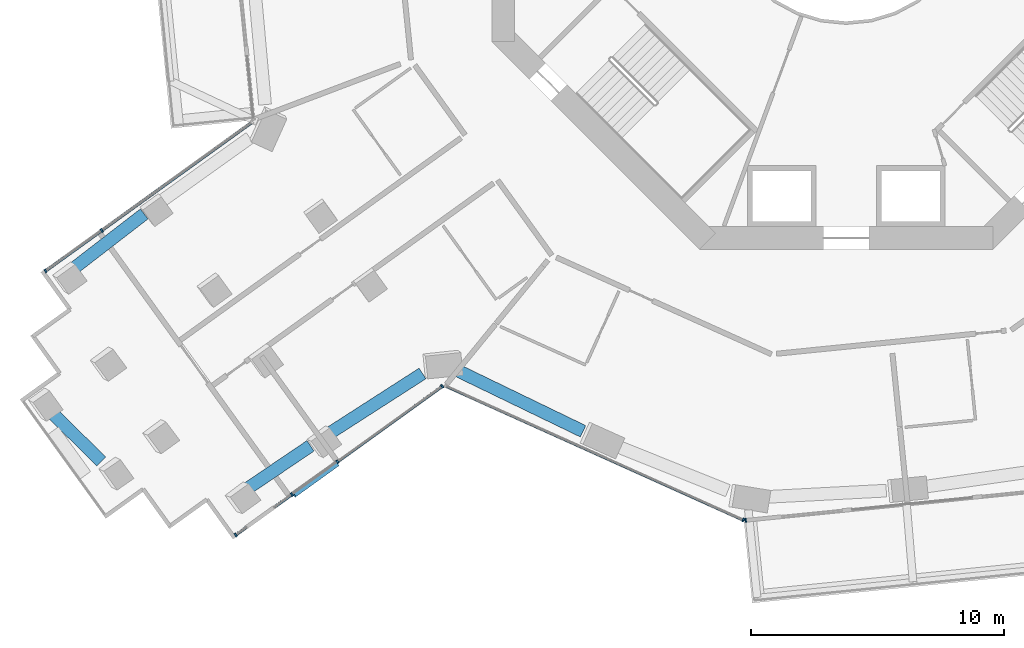
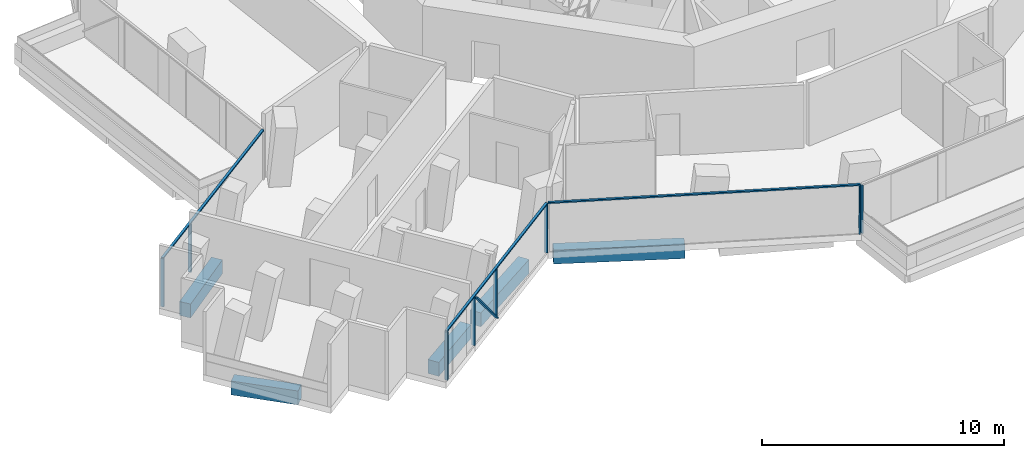
# One storey, part 2 of 26: 12 members, 5 beams, 4 elements without a shape of their own.
"""IFC4 building model written with IfcOpenShell, lengths in metres."""

import ifcopenshell
import ifcopenshell.guid

model = None  # the IFC model being written
_history = None  # IfcOwnerHistory: only IFC2X3 demands one
_inside = {}  # id of a spatial element -> (the spatial element, [elements in it])
_under = {}  # id of a project, library or spatial element -> (it, [spatial elements below it])
_declared = {}  # id of a project -> (the project, [libraries it declares])
_typed = {}  # id of a type object -> (the type object, [elements of that type])
_made_of = {}  # id of a material, layer set ... -> (it, [elements and type objects made of it])


def new_model(schema):
    """Start an empty IFC model of exactly this schema.

    Asked for "IFC4X3", IfcOpenShell would pick the latest addendum, in which some entities
    have other attributes; the version numbers below select the first issue.
    IFC2X3 requires an IfcOwnerHistory on every rooted entity: one is made here for all.
    """
    global model, _history
    if schema == "IFC4X3":
        model = ifcopenshell.file(schema_version=(4, 3, 0, 0))
    else:
        model = ifcopenshell.file(schema=schema)
    _inside.clear()
    _under.clear()
    _declared.clear()
    _typed.clear()
    _made_of.clear()
    _history = None
    if model.schema == "IFC2X3":
        org = make("IfcOrganization", Name="unknown")
        user = make(
            "IfcPersonAndOrganization",
            ThePerson=make("IfcPerson", FamilyName="unknown"),
            TheOrganization=org,
        )
        app = make(
            "IfcApplication",
            ApplicationDeveloper=org,
            Version="unknown",
            ApplicationFullName="unknown",
            ApplicationIdentifier="unknown",
        )
        _history = make(
            "IfcOwnerHistory",
            OwningUser=user,
            OwningApplication=app,
            ChangeAction="ADDED",
            CreationDate=0,
        )
    return model


def make(cls, **values):
    """One entity of the class cls with the attributes given. An attribute that is None is left unset."""
    return model.create_entity(
        cls, **{name: value for name, value in values.items() if value is not None}
    )


def rooted(cls, **values):
    """An entity with a GlobalId (a new one), such as an element, a storey or a relation."""
    return make(cls, GlobalId=ifcopenshell.guid.new(), OwnerHistory=_history, **values)


def si_unit(unit_type, name, prefix=None):
    """IfcSIUnit, for example si_unit("LENGTHUNIT", "METRE", prefix="MILLI")."""
    return make("IfcSIUnit", UnitType=unit_type, Prefix=prefix, Name=name)


def assignment(units):
    """IfcUnitAssignment: the units of a project."""
    return None if units is None else make("IfcUnitAssignment", Units=units)


def point(xyz):
    """IfcCartesianPoint."""
    return None if xyz is None else make("IfcCartesianPoint", Coordinates=xyz)


def direction(xyz):
    """IfcDirection."""
    return None if xyz is None else make("IfcDirection", DirectionRatios=xyz)


def frame(location, z_axis=None, x_axis=None):
    """IfcAxis2Placement3D, a coordinate frame: its origin and axes. An axis left out is left unset."""
    return make(
        "IfcAxis2Placement3D",
        Location=point(location),
        Axis=direction(z_axis),
        RefDirection=direction(x_axis),
    )


def frame_2d(location, x_axis=None):
    """IfcAxis2Placement2D, a coordinate frame in the plane: its origin and x axis."""
    return make(
        "IfcAxis2Placement2D", Location=point(location), RefDirection=direction(x_axis)
    )


def origin():
    """The frame at (0, 0, 0) with its axes left unset."""
    return frame((0.0, 0.0, 0.0))


def origin_2d():
    """The frame at (0, 0) in the plane with its x axis left unset."""
    return frame_2d((0.0, 0.0))


def place(relative_to, where):
    """IfcLocalPlacement: puts the frame where relative to a parent placement (None: the world)."""
    return make(
        "IfcLocalPlacement", PlacementRelTo=relative_to, RelativePlacement=where
    )


def context(
    kind, dimensions, precision=None, world=None, true_north=None, identifier=None
):
    """IfcGeometricRepresentationContext, for example the 3D "Model" context."""
    return make(
        "IfcGeometricRepresentationContext",
        ContextIdentifier=identifier,
        ContextType=kind,
        CoordinateSpaceDimension=dimensions,
        Precision=precision,
        WorldCoordinateSystem=world,
        TrueNorth=true_north,
    )


def subcontext(parent, identifier, kind, view, scale=None):
    """IfcGeometricRepresentationSubContext, for example "Body" below "Model"."""
    return make(
        "IfcGeometricRepresentationSubContext",
        ContextIdentifier=identifier,
        ContextType=kind,
        ParentContext=parent,
        TargetScale=scale,
        TargetView=view,
    )


def project(units=None, contexts=None):
    """IfcProject with its units and contexts."""
    return rooted(
        "IfcProject",
        Name="project",
        RepresentationContexts=contexts,
        UnitsInContext=assignment(units),
    )


def spatial(cls, under=None, at=None, **own):
    """A site, building, storey or space (cls), placed at a placement, below another one or the project."""
    s = rooted(cls, ObjectPlacement=at, **own)
    if under is not None:
        _under.setdefault(under.id(), (under, []))[1].append(s)
    return s


def profile(cls, at=None, kind="AREA", **sizes):
    """A parametric profile (cls). Its sizes go by their IFC names, for example OverallWidth=200.0."""
    return make(cls, ProfileType=kind, Position=at, **sizes)


def rectangle(**sizes):
    """IfcRectangleProfileDef."""
    return profile("IfcRectangleProfileDef", **sizes)


def extrude(swept, where, along, depth):
    """IfcExtrudedAreaSolid: the profile swept, set in the frame where, extruded along a direction by depth."""
    return make(
        "IfcExtrudedAreaSolid",
        SweptArea=swept,
        Position=where,
        ExtrudedDirection=direction(along),
        Depth=depth,
    )


def shape(context_of_items, identifier, shape_type, items):
    """IfcShapeRepresentation: the items that make up one representation, for example the "Body"."""
    return make(
        "IfcShapeRepresentation",
        ContextOfItems=context_of_items,
        RepresentationIdentifier=identifier,
        RepresentationType=shape_type,
        Items=items,
    )


def material(Name=None, Category=None):
    """IfcMaterial."""
    return make("IfcMaterial", Name=Name, Category=Category)


def layer(
    of_material, thickness, ventilated=None, Name=None, Category=None, Priority=None
):
    """IfcMaterialLayer: one layer of a wall or slab, of a material (None: an air gap)."""
    return make(
        "IfcMaterialLayer",
        Material=of_material,
        LayerThickness=thickness,
        IsVentilated=ventilated,
        Name=Name,
        Category=Category,
        Priority=Priority,
    )


def layer_set(layers, Name=None):
    """IfcMaterialLayerSet."""
    return make("IfcMaterialLayerSet", MaterialLayers=layers, LayerSetName=Name)


def material_profile(
    of_material, cross_section, Name=None, Category=None, Priority=None
):
    """IfcMaterialProfile: a cross section and its material."""
    return make(
        "IfcMaterialProfile",
        Name=Name,
        Material=of_material,
        Profile=cross_section,
        Priority=Priority,
        Category=Category,
    )


def profile_set(profiles, Name=None, composite=None):
    """IfcMaterialProfileSet."""
    return make(
        "IfcMaterialProfileSet",
        Name=Name,
        MaterialProfiles=profiles,
        CompositeProfile=composite,
    )


def made_of(thing, what):
    """Note that an element or type object is made of a material, layer set ...; save() writes the relation."""
    if what is not None:
        _made_of.setdefault(what.id(), (what, []))[1].append(thing)
    return thing


def type_object(cls, material=None, **own):
    """A type object (cls), such as IfcWallType, which elements share."""
    return made_of(rooted(cls, **own), material)


def element(
    cls,
    number,
    at=None,
    inside=None,
    cuts=None,
    type_object=None,
    material=None,
    context=None,
    identifier="Body",
    shape_type=None,
    held_by="IfcProductDefinitionShape",
    body=None,
    shapes=None,
    **own,
):
    """One element of the class cls, such as IfcWall. Its Tag is "e" and its number.

    at: its placement. inside: the storey or other place that contains it. cuts: it is an
    opening in that element (IfcRelVoidsElement). A single representation is given by context,
    identifier, shape_type and body (its items); several are given by shapes. held_by: the class
    of the entity that holds the representations. save() writes the other relations.
    """
    e = rooted(cls, Tag="e%d" % number, ObjectPlacement=at, **own)
    if body is not None:
        shapes = [shape(context, identifier, shape_type, body)]
    if shapes is not None:
        e.Representation = make(held_by, Representations=shapes)
    if inside is not None:
        _inside.setdefault(inside.id(), (inside, []))[1].append(e)
    if cuts is not None:
        rooted(
            "IfcRelVoidsElement", RelatingBuildingElement=cuts, RelatedOpeningElement=e
        )
    if type_object is not None:
        _typed.setdefault(type_object.id(), (type_object, []))[1].append(e)
    return made_of(e, material)


def aggregate(whole, parts):
    """IfcRelAggregates: a whole, such as a stair, and the parts it consists of."""
    return rooted("IfcRelAggregates", RelatingObject=whole, RelatedObjects=parts)


def save(model, path):
    """Write the relations noted so far, then the file.

    IfcRelAggregates (storeys below a building ...), IfcRelContainedInSpatialStructure (elements
    in a storey), IfcRelDefinesByType, IfcRelAssociatesMaterial and IfcRelDeclares: one each for
    every whole, place, type object, material and project.
    """
    for whole, parts in _under.values():
        aggregate(whole, parts)
    for where, things in _inside.values():
        rooted(
            "IfcRelContainedInSpatialStructure",
            RelatedElements=things,
            RelatingStructure=where,
        )
    for kind, things in _typed.values():
        rooted("IfcRelDefinesByType", RelatedObjects=things, RelatingType=kind)
    for what, things in _made_of.values():
        rooted("IfcRelAssociatesMaterial", RelatedObjects=things, RelatingMaterial=what)
    for by, libraries in _declared.values():
        rooted("IfcRelDeclares", RelatingContext=by, RelatedDefinitions=libraries)
    model.write(path)


model = new_model("IFC4")

# Units and contexts
model_context = context("Model", 3, precision=1e-05, world=origin(), true_north=direction((0.0, 1.0)))
body_context = subcontext(model_context, "Body", "Model", "MODEL_VIEW")
ifc_project = project(units=[si_unit("LENGTHUNIT", "METRE"), si_unit("AREAUNIT", "SQUARE_METRE"), si_unit("VOLUMEUNIT", "CUBIC_METRE"), si_unit("PLANEANGLEUNIT", "RADIAN"), si_unit("MASSUNIT", "GRAM", prefix="KILO")], contexts=[model_context])

# Site, building, storey
site_placement = place(None, origin())
site = spatial("IfcSite", under=ifc_project, at=site_placement, CompositionType="ELEMENT")
building_placement = place(site_placement, origin())
building = spatial("IfcBuilding", under=site, at=building_placement, Name="Verdalira Terraces Hotel", CompositionType="ELEMENT")
storey_placement = place(building_placement, frame((0.0, 0.0, 56.5)))
storey = spatial("IfcBuildingStorey", under=building, at=storey_placement, Name="L12", CompositionType="ELEMENT", Elevation=56.5)

# Curtain wall, member
ifc_material_1 = material(Name="Clear glass", Category="glass")
ifc_layer_1 = layer(ifc_material_1, 0.14990234375)
ifc_layer_set_1 = layer_set([ifc_layer_1], Name="CW1 curtain wall")
curtain_wall_type_1 = type_object("IfcCurtainWallType", Name="CW1 curtain wall", PredefinedType="NOTDEFINED", material=ifc_layer_set_1)
curtain_wall_1_placement = place(storey_placement, origin())
curtain_wall_1 = element("IfcCurtainWall", 1, at=curtain_wall_1_placement, inside=storey, type_object=curtain_wall_type_1, Name="CW1 curtain wall L12 edge 25", PredefinedType="NOTDEFINED")
ifc_material_2 = material(Name="Terracotta frame", Category="masonry")
ifc_material_profile_1 = material_profile(ifc_material_2, rectangle(XDim=0.060059, YDim=0.149902, at=origin_2d()), Name="MU 60x150")
ifc_profile_set_1 = profile_set([ifc_material_profile_1], Name="Terracotta frame")
member_type_1 = type_object("IfcMemberType", Name="CW1 mullion 60x150", PredefinedType="MULLION", material=ifc_profile_set_1)
member_1_placement = place(storey_placement, frame((-4.065674, -24.690918, 0.0), z_axis=(0.0, 0.0, 1.0), x_axis=(0.911833714, -0.410559714, 0.0)))
member_1 = element("IfcMember", 2, at=member_1_placement, type_object=member_type_1, Name="CW1 mullion", PredefinedType="MULLION", context=body_context, shape_type="SweptSolid", body=[
    extrude(rectangle(XDim=0.060059, YDim=0.149902, at=origin_2d()), origin(), (0.0, 0.0, 1.0), 2.425049),
])

curtain_wall_2_placement = place(storey_placement, origin())
curtain_wall_2 = element("IfcCurtainWall", 3, at=curtain_wall_2_placement, inside=storey, type_object=curtain_wall_type_1, Name="CW1 curtain wall L12 edge 26", PredefinedType="NOTDEFINED")
member_2_placement = place(storey_placement, frame((-3.970215, -24.706543, 0.0), z_axis=(0.0, 0.0, 1.0), x_axis=(0.994951017, 0.100361715, 0.0)))
member_2 = element("IfcMember", 4, at=member_2_placement, type_object=member_type_1, Name="CW1 mullion", PredefinedType="MULLION", context=body_context, shape_type="SweptSolid", body=[
    extrude(rectangle(XDim=0.060059, YDim=0.149902, at=origin_2d()), origin(), (0.0, 0.0, 1.0), 2.425049),
])
aggregate(curtain_wall_2, [member_2])

# Member
ifc_material_3 = material(Name="Terracotta frame", Category="masonry")
ifc_material_profile_2 = material_profile(ifc_material_3, rectangle(XDim=0.110107, YDim=0.064941, at=origin_2d()), Name="TR 65x110")
ifc_profile_set_2 = profile_set([ifc_material_profile_2], Name="Terracotta frame")
member_type_2 = type_object("IfcMemberType", Name="CW1 transom 65x110", PredefinedType="USERDEFINED", material=ifc_profile_set_2)
member_3_placement = place(storey_placement, frame((-15.855713, -19.382568, 2.45752), z_axis=(0.91183548, -0.41055579, 0.0), x_axis=(0.41055579, 0.91183548, 0.0)))
member_3 = element("IfcMember", 5, at=member_3_placement, type_object=member_type_2, Name="CW1 transom", ObjectType="TRANSOM", PredefinedType="USERDEFINED", context=body_context, shape_type="SweptSolid", body=[
    extrude(rectangle(XDim=0.110107, YDim=0.064941, at=origin_2d()), origin(), (0.0, 0.0, 1.0), 12.959961),
])

aggregate(curtain_wall_1, [member_1, member_3])

# Curtain wall, members
ifc_material_4 = material(Name="Clear glass", Category="glass")
ifc_layer_2 = layer(ifc_material_4, 0.14990234375)
ifc_layer_set_2 = layer_set([ifc_layer_2], Name="CW2 curtain wall")
curtain_wall_type_2 = type_object("IfcCurtainWallType", Name="CW2 curtain wall", PredefinedType="NOTDEFINED", material=ifc_layer_set_2)
curtain_wall_3_placement = place(storey_placement, origin())
curtain_wall_3 = element("IfcCurtainWall", 6, at=curtain_wall_3_placement, inside=storey, type_object=curtain_wall_type_2, Name="CW2 curtain wall L12 edge 14", PredefinedType="NOTDEFINED")
ifc_material_5 = material(Name="Terracotta frame", Category="masonry")
ifc_material_profile_3 = material_profile(ifc_material_5, rectangle(XDim=0.070068, YDim=0.149902, at=origin_2d()), Name="MU 70x150")
ifc_profile_set_3 = profile_set([ifc_material_profile_3], Name="Terracotta frame")
member_type_3 = type_object("IfcMemberType", Name="CW2 mullion 70x150", PredefinedType="MULLION", material=ifc_profile_set_3)
member_4_placement = place(storey_placement, frame((-29.404785, -13.258301, 0.0), z_axis=(0.0, 0.0, 1.0), x_axis=(-0.811471999, -0.584391303, 0.0)))
member_4 = element("IfcMember", 7, at=member_4_placement, type_object=member_type_3, Name="CW2 mullion", PredefinedType="MULLION", context=body_context, shape_type="SweptSolid", body=[
    extrude(rectangle(XDim=0.070068, YDim=0.149902, at=origin_2d()), origin(), (0.0, 0.0, 1.0), 2.425049),
])
member_5_placement = place(storey_placement, frame((-31.624023, -14.856689, 0.0), z_axis=(0.0, 0.0, 1.0), x_axis=(-0.811471999, -0.584391303, 0.0)))
member_5 = element("IfcMember", 8, at=member_5_placement, type_object=member_type_3, Name="CW2 mullion", PredefinedType="MULLION", context=body_context, shape_type="SweptSolid", body=[
    extrude(rectangle(XDim=0.070068, YDim=0.149902, at=origin_2d()), origin(), (0.0, 0.0, 1.0), 2.425049),
])

curtain_wall_4_placement = place(storey_placement, origin())
curtain_wall_4 = element("IfcCurtainWall", 9, at=curtain_wall_4_placement, inside=storey, type_object=curtain_wall_type_2, Name="CW2 curtain wall L12 edge 24", PredefinedType="NOTDEFINED")
member_6_placement = place(storey_placement, frame((-24.114502, -25.28418, 0.0), z_axis=(0.0, 0.0, 1.0), x_axis=(0.811471999, 0.584391303, 0.0)))
member_6 = element("IfcMember", 10, at=member_6_placement, type_object=member_type_3, Name="CW2 mullion", PredefinedType="MULLION", context=body_context, shape_type="SweptSolid", body=[
    extrude(rectangle(XDim=0.070068, YDim=0.149902, at=origin_2d()), origin(), (0.0, 0.0, 1.0), 2.425049),
])
member_7_placement = place(storey_placement, frame((-21.895264, -23.685791, 0.0), z_axis=(0.0, 0.0, 1.0), x_axis=(0.811471999, 0.584391303, 0.0)))
member_7 = element("IfcMember", 11, at=member_7_placement, type_object=member_type_3, Name="CW2 mullion", PredefinedType="MULLION", context=body_context, shape_type="SweptSolid", body=[
    extrude(rectangle(XDim=0.070068, YDim=0.149902, at=origin_2d()), origin(), (0.0, 0.0, 1.0), 2.425049),
])
member_8_placement = place(storey_placement, frame((-20.097412, -22.391113, 0.0), z_axis=(0.0, 0.0, 1.0), x_axis=(0.811471999, 0.584391303, 0.0)))
member_8 = element("IfcMember", 12, at=member_8_placement, type_object=member_type_3, Name="CW2 mullion", PredefinedType="MULLION", context=body_context, shape_type="SweptSolid", body=[
    extrude(rectangle(XDim=0.070068, YDim=0.149902, at=origin_2d()), origin(), (0.0, 0.0, 1.0), 2.425049),
])
member_9_placement = place(storey_placement, frame((-15.95874, -19.4104, 0.0), z_axis=(0.0, 0.0, 1.0), x_axis=(0.811471999, 0.584391303, 0.0)))
member_9 = element("IfcMember", 13, at=member_9_placement, type_object=member_type_3, Name="CW2 mullion", PredefinedType="MULLION", context=body_context, shape_type="SweptSolid", body=[
    extrude(rectangle(XDim=0.070068, YDim=0.149902, at=origin_2d()), origin(), (0.0, 0.0, 1.0), 2.425049),
])

# Member
ifc_material_6 = material(Name="Terracotta frame", Category="masonry")
ifc_material_profile_4 = material_profile(ifc_material_6, rectangle(XDim=0.11499, YDim=0.064941, at=origin_2d()), Name="TR 65x115")
ifc_profile_set_4 = profile_set([ifc_material_profile_4], Name="Terracotta frame")
member_type_4 = type_object("IfcMemberType", Name="CW2 transom 65x115", PredefinedType="USERDEFINED", material=ifc_profile_set_4)
member_10_placement = place(storey_placement, frame((-23.439697, -8.962646, 2.45752), z_axis=(-0.811466619, -0.584398773, 0.0), x_axis=(0.584398773, -0.811466619, 0.0)))
member_10 = element("IfcMember", 14, at=member_10_placement, type_object=member_type_4, Name="CW2 transom", ObjectType="TRANSOM", PredefinedType="USERDEFINED", context=body_context, shape_type="SweptSolid", body=[
    extrude(rectangle(XDim=0.11499, YDim=0.064941, at=origin_2d()), origin(), (0.0, 0.0, 1.0), 10.12085),
])

aggregate(curtain_wall_3, [member_4, member_5, member_10])

member_11_placement = place(storey_placement, frame((-24.143066, -25.304688, 2.45752), z_axis=(0.811474858, 0.584387334, 0.0), x_axis=(-0.584387334, 0.811474858, 0.0)))
member_11 = element("IfcMember", 15, at=member_11_placement, type_object=member_type_4, Name="CW2 transom", ObjectType="TRANSOM", PredefinedType="USERDEFINED", context=body_context, shape_type="SweptSolid", body=[
    extrude(rectangle(XDim=0.11499, YDim=0.064941, at=origin_2d()), origin(), (0.0, 0.0, 1.0), 10.12085),
])

ifc_material_7 = material(Name="Terracotta frame", Category="masonry")
ifc_material_profile_5 = material_profile(ifc_material_7, rectangle(XDim=0.149902, YDim=0.060059, at=origin_2d()), Name="GB 60x150")
ifc_profile_set_5 = profile_set([ifc_material_profile_5], Name="Terracotta frame")
member_type_5 = type_object("IfcMemberType", Name="Diagonal glazing bar 60x150", PredefinedType="USERDEFINED", material=ifc_profile_set_5)
member_12_placement = place(storey_placement, frame((-21.794434, -23.725342, 2.398193), z_axis=(0.537681735, 0.387241886, -0.748960662), x_axis=(-0.584415083, 0.811454873, 0.0)))
member_12 = element("IfcMember", 16, at=member_12_placement, type_object=member_type_5, Name="Diagonal glazing bar", ObjectType="GLAZING BAR", PredefinedType="USERDEFINED", context=body_context, shape_type="SweptSolid", body=[
    extrude(rectangle(XDim=0.149902, YDim=0.060059, at=origin_2d()), origin(), (0.0, 0.0, 1.0), 3.16626),
])

aggregate(curtain_wall_4, [member_6, member_7, member_8, member_9, member_11, member_12])

# Beams
ifc_material_8 = material(Name="Concrete C70", Category="concrete")
ifc_material_profile_6 = material_profile(ifc_material_8, rectangle(XDim=0.5, YDim=0.699951, at=origin_2d()), Name="RC 500X700")
ifc_profile_set_6 = profile_set([ifc_material_profile_6], Name="Concrete C70")
beam_type = type_object("IfcBeamType", Name="Spandrel beam RC 500X700 C70", PredefinedType="SPANDREL", material=ifc_profile_set_6)
beam_1_placement = place(storey_placement, frame((-27.730469, -12.604004, -0.659912), z_axis=(-0.791661485, -0.610959976, 0.0), x_axis=(0.610959976, -0.791661485, 0.0)))
element("IfcBeam", 17, at=beam_1_placement, inside=storey, type_object=beam_type, Name="Spandrel beam B15", PredefinedType="SPANDREL", context=body_context, shape_type="SweptSolid", body=[
    extrude(rectangle(XDim=0.5, YDim=0.699951, at=origin_2d()), origin(), (0.0, 0.0, 1.0), 3.464111),
])
beam_2_placement = place(storey_placement, frame((-31.4646, -20.366455, -0.659912), z_axis=(0.711185161, -0.703004742, 0.0), x_axis=(0.703004742, 0.711185161, 0.0)))
element("IfcBeam", 18, at=beam_2_placement, inside=storey, type_object=beam_type, Name="Spandrel beam B16", PredefinedType="SPANDREL", context=body_context, shape_type="SweptSolid", body=[
    extrude(rectangle(XDim=0.5, YDim=0.699951, at=origin_2d()), origin(), (0.0, 0.0, 1.0), 2.86499),
])
beam_3_placement = place(storey_placement, frame((-23.687012, -23.474854, -0.659912), z_axis=(0.827804841, 0.561016172, 0.0), x_axis=(-0.561016172, 0.827804841, 0.0)))
element("IfcBeam", 19, at=beam_3_placement, inside=storey, type_object=beam_type, Name="Spandrel beam B17", PredefinedType="SPANDREL", context=body_context, shape_type="SweptSolid", body=[
    extrude(rectangle(XDim=0.5, YDim=0.699951, at=origin_2d()), origin(), (0.0, 0.0, 1.0), 3.052002),
])
beam_4_placement = place(storey_placement, frame((-20.393799, -21.256592, -0.659912), z_axis=(0.841222268, 0.540689463, 0.0), x_axis=(-0.540689463, 0.841222268, 0.0)))
element("IfcBeam", 20, at=beam_4_placement, inside=storey, type_object=beam_type, Name="Spandrel beam B18", PredefinedType="SPANDREL", context=body_context, shape_type="SweptSolid", body=[
    extrude(rectangle(XDim=0.5, YDim=0.699951, at=origin_2d()), origin(), (0.0, 0.0, 1.0), 4.346924),
])
beam_5_placement = place(storey_placement, frame((-15.291016, -18.820068, -0.659912), z_axis=(0.900195014, -0.435487012, 0.0), x_axis=(0.435487012, 0.900195014, 0.0)))
element("IfcBeam", 21, at=beam_5_placement, inside=storey, type_object=beam_type, Name="Spandrel beam B19", PredefinedType="SPANDREL", context=body_context, shape_type="SweptSolid", body=[
    extrude(rectangle(XDim=0.5, YDim=0.699951, at=origin_2d()), origin(), (0.0, 0.0, 1.0), 5.439209),
])

save(model, "model.ifc")
